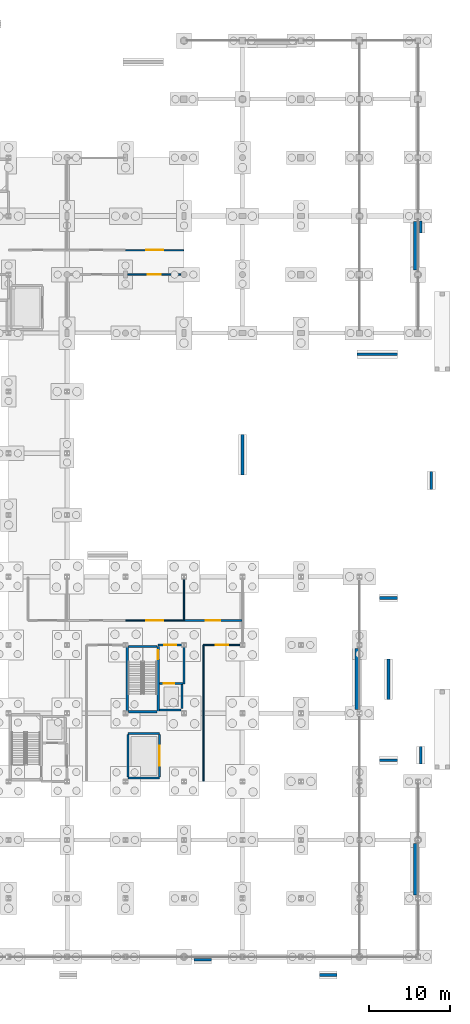
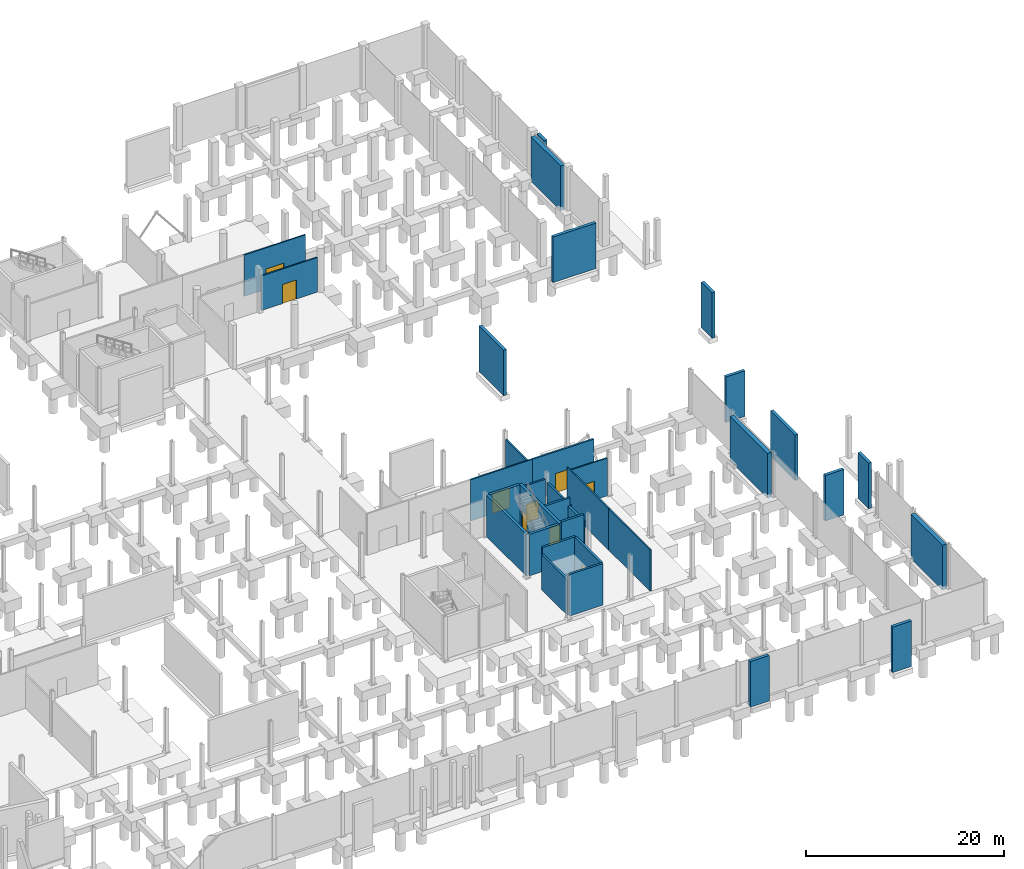
# One storey, part 49 of 61: 34 walls, 9 doors, 9 openings.
"""IFC4 building model written with IfcOpenShell, lengths in metres."""

from ifc_helpers import new_model, si_unit, direction, frame, frame_2d, origin, place, context, subcontext, project, spatial, rectangle, extrude, material, layer, layer_set, type_object, element, fill, save


model = new_model("IFC4")

# Units and contexts
model_context = context("Model", 3, precision=1e-05, world=origin(), true_north=direction((0.0, 1.0)))
body_context = subcontext(model_context, "Body", "Model", "MODEL_VIEW")
ifc_project = project(units=[si_unit("LENGTHUNIT", "METRE"), si_unit("AREAUNIT", "SQUARE_METRE"), si_unit("VOLUMEUNIT", "CUBIC_METRE"), si_unit("PLANEANGLEUNIT", "RADIAN"), si_unit("MASSUNIT", "GRAM", prefix="KILO")], contexts=[model_context])

# Site, building, storey
site_placement = place(None, origin())
site = spatial("IfcSite", under=ifc_project, at=site_placement, CompositionType="ELEMENT")
building_placement = place(site_placement, origin())
building = spatial("IfcBuilding", under=site, at=building_placement, Name="Calvrana Isthmian Art Gallery", CompositionType="ELEMENT")
storey_placement = place(building_placement, frame((0.0, 0.0, -5.39990234375)))
storey = spatial("IfcBuildingStorey", under=building, at=storey_placement, Name="B1", CompositionType="ELEMENT", Elevation=-5.39990234375)

# Wall
ifc_material_1 = material(Name="Concrete C40/50", Category="concrete")
ifc_layer_1 = layer(ifc_material_1, 0.300048828125, Name="Concrete C40/50")
ifc_layer_set_1 = layer_set([ifc_layer_1], Name="Concrete C40/50")
wall_type_1 = type_object("IfcWallType", Name="CW-SHAFT-300", PredefinedType="SHEAR", material=ifc_layer_set_1)
wall_1_placement = place(storey_placement, frame((127.39990234375, 30.18994140625, 0.0), z_axis=(0.0, 0.0, 1.0), x_axis=(0.0, 1.0, 0.0)))
element("IfcWall", 1, at=wall_1_placement, inside=storey, type_object=wall_type_1, Name="Core C4 shear wall W B1", PredefinedType="SHEAR", context=body_context, shape_type="SweptSolid", body=[
    extrude(rectangle(XDim=8.02001953125, YDim=0.300048828125, at=frame_2d((4.010009765625, 0.0))), origin(), (0.0, 0.0, 1.0), 5.119873046875),
])

# Wall, opening, door
wall_2_placement = place(storey_placement, frame((131.219970703125, 30.18994140625, 0.0), z_axis=(0.0, 0.0, 1.0), x_axis=(0.0, 1.0, 0.0)))
wall_2 = element("IfcWall", 2, at=wall_2_placement, inside=storey, type_object=wall_type_1, Name="Core C4 shear wall E B1", PredefinedType="SHEAR", context=body_context, shape_type="SweptSolid", body=[
    extrude(rectangle(XDim=8.02001953125, YDim=0.300048828125, at=frame_2d((4.010009765625, 0.0))), origin(), (0.0, 0.0, 1.0), 5.119873046875),
])
opening_1_placement = place(wall_2_placement, frame((6.469970703125, 0.0, 0.0)))
opening_1 = element("IfcOpeningElement", 3, at=opening_1_placement, cuts=wall_2, Name="Opening D-142", PredefinedType="OPENING", context=body_context, shape_type="SweptSolid", body=[
    extrude(rectangle(XDim=1.10009765625, YDim=2.14990234375, at=frame_2d((0.550048828125, 1.074951171875))), frame((0.0, 0.16015625, 0.0), z_axis=(0.0, -1.0, 0.0), x_axis=(1.0, 0.0, 0.0)), (0.0, 0.0, 1.0), 0.320556640625),
])
ifc_material_2 = material(Name="Steel ASTM A572 Gr 50", Category="steel")
door_type_1 = type_object("IfcDoorType", Name="DR-FIRE-1100", OperationType="NOTDEFINED", PredefinedType="DOOR", material=ifc_material_2)
door_1_placement = place(opening_1_placement, origin())
door_1 = element("IfcDoor", 4, at=door_1_placement, inside=storey, type_object=door_type_1, Name="Stair ST-4 fire door B1", OperationType="SINGLE_SWING_RIGHT", OverallHeight=2.14990234375, OverallWidth=1.10009765625, PredefinedType="DOOR", context=body_context, shape_type="SweptSolid", body=[
    extrude(rectangle(XDim=1.10009765625, YDim=2.14990234375, at=frame_2d((0.550048828125, 1.074951171875))), frame((0.0, 0.02490234375, 0.0), z_axis=(0.0, -1.0, 0.0), x_axis=(1.0, 0.0, 0.0)), (0.0, 0.0, 1.0), 0.050048828125),
])
fill(opening_1, door_1)

# Walls
for number, where, z_axis, x_axis, name in (
    (5, (127.550048828125, 30.18994140625, 0.0), (0.0, 0.0, 1.0), (1.0, 0.0, 0.0), "Core C4 shear wall S B1"),
    (6, (127.550048828125, 38.2099609375, 0.0), (0.0, 0.0, 1.0), (1.0, 0.0, 0.0), "Core C4 shear wall N B1"),
):
    element("IfcWall", number, at=place(storey_placement, frame(where, z_axis=z_axis, x_axis=x_axis)), inside=storey, type_object=wall_type_1, Name=name, PredefinedType="SHEAR", context=body_context, shape_type="SweptSolid", body=[
        extrude(rectangle(XDim=3.52001953125, YDim=0.300048828125, at=frame_2d((1.760009765625, 0.0))), origin(), (0.0, 0.0, 1.0), 5.119873046875),
    ])
ifc_material_3 = material(Name="Acoustic gypsum ceiling", Category="gypsum")
ifc_layer_2 = layer(ifc_material_3, 0.199951171875, Name="Acoustic gypsum ceiling")
ifc_layer_set_2 = layer_set([ifc_layer_2], Name="Acoustic gypsum ceiling")
wall_type_2 = type_object("IfcWallType", Name="PW-FIRE-200", PredefinedType="PARTITIONING", material=ifc_layer_set_2)
wall_3_placement = place(storey_placement, frame((134.39990234375, 33.60009765625, 0.0), z_axis=(0.0, 0.0, 1.0), x_axis=(0.0, 1.0, 0.0)))
element("IfcWall", 7, at=wall_3_placement, inside=storey, type_object=wall_type_2, Name="Core C4 lobby east closure B1", PredefinedType="PARTITIONING", context=body_context, shape_type="SweptSolid", body=[
    extrude(rectangle(XDim=4.579833984375, YDim=0.199951171875, at=frame_2d((2.2900390625, 0.0))), origin(), (0.0, 0.0, 1.0), 4.1728515625),
])

# Wall, opening, door
wall_4_placement = place(storey_placement, frame((131.22998046875, 38.39990234375, 0.0), z_axis=(0.0, 0.0, 1.0), x_axis=(1.0, 0.0, 0.0)))
wall_4 = element("IfcWall", 8, at=wall_4_placement, inside=storey, type_object=wall_type_2, Name="Core C4 lobby enclosure B1", PredefinedType="PARTITIONING", context=body_context, shape_type="SweptSolid", body=[
    extrude(rectangle(XDim=2.949951171875, YDim=0.199951171875, at=frame_2d((1.47509765625, 0.0))), origin(), (0.0, 0.0, 1.0), 4.56689453125),
])
opening_2_placement = place(wall_4_placement, frame((0.75, 0.0, 0.0)))
opening_2 = element("IfcOpeningElement", 9, at=opening_2_placement, cuts=wall_4, Name="Opening D-143", PredefinedType="OPENING", context=body_context, shape_type="SweptSolid", body=[
    extrude(rectangle(XDim=1.449951171875, YDim=2.199951171875, at=frame_2d((0.72509765625, 1.10009765625))), frame((0.0, 0.1103515625, 0.0), z_axis=(0.0, -1.0, 0.0), x_axis=(1.0, 0.0, 0.0)), (0.0, 0.0, 1.0), 0.220458984375),
])
door_type_2 = type_object("IfcDoorType", Name="DR-LOBBY-1450", OperationType="DOUBLE_DOOR_SINGLE_SWING", PredefinedType="DOOR", material=ifc_material_2)
door_2_placement = place(opening_2_placement, origin())
door_2 = element("IfcDoor", 10, at=door_2_placement, inside=storey, type_object=door_type_2, Name="Core C4 lobby fire door B1", OperationType="DOUBLE_DOOR_SINGLE_SWING", OverallHeight=2.199951171875, OverallWidth=1.449951171875, PredefinedType="DOOR", context=body_context, shape_type="SweptSolid", body=[
    extrude(rectangle(XDim=1.449951171875, YDim=2.199951171875, at=frame_2d((0.72509765625, 1.10009765625))), frame((0.0, 0.02490234375, 0.0), z_axis=(0.0, -1.0, 0.0), x_axis=(1.0, 0.0, 0.0)), (0.0, 0.0, 1.0), 0.050048828125),
])
fill(opening_2, door_2)

wall_5_placement = place(storey_placement, frame((134.409912109375, 41.409912109375, 0.0), z_axis=(0.0, 0.0, 1.0), x_axis=(1.0, 0.0, 0.0)))
wall_5 = element("IfcWall", 11, at=wall_5_placement, inside=storey, type_object=wall_type_2, Name="Interior partition PW-056", PredefinedType="PARTITIONING", context=body_context, shape_type="SweptSolid", body=[
    extrude(rectangle(XDim=7.130126953125, YDim=0.199951171875, at=frame_2d((3.56494140625, 0.0))), origin(), (0.0, 0.0, 1.0), 5.099853515625),
])
opening_3_placement = place(wall_5_placement, frame((2.6650390625, 0.0, 0.0)))
opening_3 = element("IfcOpeningElement", 12, at=opening_3_placement, cuts=wall_5, Name="Opening D-219", PredefinedType="OPENING", context=body_context, shape_type="SweptSolid", body=[
    extrude(rectangle(XDim=1.800048828125, YDim=2.39990234375, at=frame_2d((0.89990234375, 1.199951171875))), frame((0.0, 0.1103515625, 0.0), z_axis=(0.0, -1.0, 0.0), x_axis=(1.0, 0.0, 0.0)), (0.0, 0.0, 1.0), 0.220458984375),
])
door_type_3 = type_object("IfcDoorType", Name="DR-VAULT-1800", OperationType="DOUBLE_DOOR_SINGLE_SWING", PredefinedType="DOOR", material=ifc_material_2)
door_3_placement = place(opening_3_placement, origin())
door_3 = element("IfcDoor", 13, at=door_3_placement, inside=storey, type_object=door_type_3, Name="Interior door D-219", OperationType="DOUBLE_DOOR_SINGLE_SWING", OverallHeight=2.39990234375, OverallWidth=1.800048828125, PredefinedType="DOOR", context=body_context, shape_type="SweptSolid", body=[
    extrude(rectangle(XDim=1.800048828125, YDim=2.39990234375, at=frame_2d((0.89990234375, 1.199951171875))), frame((0.0, 0.02490234375, 0.0), z_axis=(0.0, -1.0, 0.0), x_axis=(1.0, 0.0, 0.0)), (0.0, 0.0, 1.0), 0.050048828125),
])
fill(opening_3, door_3)

# Walls
ifc_layer_3 = layer(ifc_material_3, 0.159912109375, Name="Acoustic gypsum ceiling")
ifc_layer_set_3 = layer_set([ifc_layer_3], Name="Acoustic gypsum ceiling")
wall_type_3 = type_object("IfcWallType", Name="PW-GAL-160", PredefinedType="PARTITIONING", material=ifc_layer_set_3)
wall_6_placement = place(storey_placement, frame((136.800048828125, 21.639892578125, 0.0), z_axis=(0.0, 0.0, 1.0), x_axis=(0.0, 1.0, 0.0)))
element("IfcWall", 14, at=wall_6_placement, inside=storey, type_object=wall_type_3, Name="Interior partition PW-047", PredefinedType="PARTITIONING", context=body_context, shape_type="SweptSolid", body=[
    extrude(rectangle(XDim=8.340087890625, YDim=0.159912109375, at=frame_2d((4.169921875, 0.0))), origin(), (0.0, 0.0, 1.0), 5.099853515625),
])
wall_7_placement = place(storey_placement, frame((136.800048828125, 30.02001953125, 0.0), z_axis=(0.0, 0.0, 1.0), x_axis=(0.0, 1.0, 0.0)))
element("IfcWall", 15, at=wall_7_placement, inside=storey, type_object=wall_type_3, Name="Interior partition PW-048", PredefinedType="PARTITIONING", context=body_context, shape_type="SweptSolid", body=[
    extrude(rectangle(XDim=8.35986328125, YDim=0.159912109375, at=frame_2d((4.179931640625, 0.0))), origin(), (0.0, 0.0, 1.0), 5.099853515625),
])

# Wall, opening, door
wall_8_placement = place(storey_placement, frame((136.800048828125, 38.39990234375, 0.0), z_axis=(0.0, 0.0, 1.0), x_axis=(1.0, 0.0, 0.0)))
wall_8 = element("IfcWall", 16, at=wall_8_placement, inside=storey, type_object=wall_type_3, Name="Interior partition PW-049", PredefinedType="PARTITIONING", context=body_context, shape_type="SweptSolid", body=[
    extrude(rectangle(XDim=4.58203125, YDim=0.159912109375, at=frame_2d((2.291015625, 0.0))), origin(), (0.0, 0.0, 1.0), 4.637939453125),
])
opening_4_placement = place(wall_8_placement, frame((1.51611328125, 0.0, 0.0)))
opening_4 = element("IfcOpeningElement", 17, at=opening_4_placement, cuts=wall_8, Name="Opening D-215", PredefinedType="OPENING", context=body_context, shape_type="SweptSolid", body=[
    extrude(rectangle(XDim=1.550048828125, YDim=2.300048828125, at=frame_2d((0.77490234375, 1.14990234375))), frame((0.0, 0.09033203125, 0.0), z_axis=(0.0, -1.0, 0.0), x_axis=(1.0, 0.0, 0.0)), (0.0, 0.0, 1.0), 0.180419921875),
])
ifc_material_4 = material(Name="Timber gallery flooring", Category="wood")
door_type_4 = type_object("IfcDoorType", Name="DR-AUD-1550", OperationType="DOUBLE_DOOR_SINGLE_SWING", PredefinedType="DOOR", material=ifc_material_4)
door_4_placement = place(opening_4_placement, origin())
door_4 = element("IfcDoor", 18, at=door_4_placement, inside=storey, type_object=door_type_4, Name="Interior door D-215", OperationType="DOUBLE_DOOR_SINGLE_SWING", OverallHeight=2.300048828125, OverallWidth=1.550048828125, PredefinedType="DOOR", context=body_context, shape_type="SweptSolid", body=[
    extrude(rectangle(XDim=1.550048828125, YDim=2.300048828125, at=frame_2d((0.77490234375, 1.14990234375))), frame((0.0, 0.02490234375, 0.0), z_axis=(0.0, -1.0, 0.0), x_axis=(1.0, 0.0, 0.0)), (0.0, 0.0, 1.0), 0.050048828125),
])
fill(opening_4, door_4)

wall_9_placement = place(storey_placement, frame((127.2099609375, 41.409912109375, 0.0), z_axis=(0.0, 0.0, 1.0), x_axis=(1.0, 0.0, 0.0)))
wall_9 = element("IfcWall", 19, at=wall_9_placement, inside=storey, type_object=wall_type_3, Name="Interior partition PW-054", PredefinedType="PARTITIONING", context=body_context, shape_type="SweptSolid", body=[
    extrude(rectangle(XDim=7.179931640625, YDim=0.159912109375, at=frame_2d((3.58984375, 0.0))), origin(), (0.0, 0.0, 1.0), 5.099853515625),
])
opening_5_placement = place(wall_9_placement, frame((2.5400390625, 0.0, 0.0)))
opening_5 = element("IfcOpeningElement", 20, at=opening_5_placement, cuts=wall_9, Name="Opening D-218", PredefinedType="OPENING", context=body_context, shape_type="SweptSolid", body=[
    extrude(rectangle(XDim=2.10009765625, YDim=2.5, at=frame_2d((1.050048828125, 1.25))), frame((0.0, 0.09033203125, 0.0), z_axis=(0.0, -1.0, 0.0), x_axis=(1.0, 0.0, 0.0)), (0.0, 0.0, 1.0), 0.180419921875),
])
door_type_5 = type_object("IfcDoorType", Name="DR-GAL-2100", OperationType="DOUBLE_DOOR_SINGLE_SWING", PredefinedType="DOOR", material=ifc_material_4)
door_5_placement = place(opening_5_placement, origin())
door_5 = element("IfcDoor", 21, at=door_5_placement, inside=storey, type_object=door_type_5, Name="Interior door D-218", OperationType="DOUBLE_DOOR_SINGLE_SWING", OverallHeight=2.5, OverallWidth=2.10009765625, PredefinedType="DOOR", context=body_context, shape_type="SweptSolid", body=[
    extrude(rectangle(XDim=2.10009765625, YDim=2.5, at=frame_2d((1.050048828125, 1.25))), frame((0.0, 0.02490234375, 0.0), z_axis=(0.0, -1.0, 0.0), x_axis=(1.0, 0.0, 0.0)), (0.0, 0.0, 1.0), 0.050048828125),
])
fill(opening_5, door_5)

# Wall
wall_10_placement = place(storey_placement, frame((134.39990234375, 41.419921875, 0.0), z_axis=(0.0, 0.0, 1.0), x_axis=(0.0, 1.0, 0.0)))
element("IfcWall", 22, at=wall_10_placement, inside=storey, type_object=wall_type_3, Name="Interior partition PW-055", PredefinedType="PARTITIONING", context=body_context, shape_type="SweptSolid", body=[
    extrude(rectangle(XDim=5.16552734375, YDim=0.159912109375, at=frame_2d((2.582763671875, 0.0))), origin(), (0.0, 0.0, 1.0), 4.406982421875),
])

# Wall, opening, door
wall_11_placement = place(storey_placement, frame((127.43994140625, 84.0, 0.0), z_axis=(0.0, 0.0, 1.0), x_axis=(1.0, 0.0, 0.0)))
wall_11 = element("IfcWall", 23, at=wall_11_placement, inside=storey, type_object=wall_type_3, Name="Interior partition PW-059", PredefinedType="PARTITIONING", context=body_context, shape_type="SweptSolid", body=[
    extrude(rectangle(XDim=6.570068359375, YDim=0.159912109375, at=frame_2d((3.28515625, 0.0))), origin(), (0.0, 0.0, 1.0), 4.2578125),
])
opening_6_placement = place(wall_11_placement, frame((2.485107421875, 0.0, 0.0)))
opening_6 = element("IfcOpeningElement", 24, at=opening_6_placement, cuts=wall_11, Name="Opening D-221", PredefinedType="OPENING", context=body_context, shape_type="SweptSolid", body=[
    extrude(rectangle(XDim=1.60009765625, YDim=2.35009765625, at=frame_2d((0.800048828125, 1.175048828125))), frame((0.0, 0.09033203125, 0.0), z_axis=(0.0, -1.0, 0.0), x_axis=(1.0, 0.0, 0.0)), (0.0, 0.0, 1.0), 0.180419921875),
])
door_type_6 = type_object("IfcDoorType", Name="DR-GAL-1600", OperationType="DOUBLE_DOOR_SINGLE_SWING", PredefinedType="DOOR", material=ifc_material_4)
door_6_placement = place(opening_6_placement, origin())
door_6 = element("IfcDoor", 25, at=door_6_placement, inside=storey, type_object=door_type_6, Name="Interior door D-221", OperationType="DOUBLE_DOOR_SINGLE_SWING", OverallHeight=2.35009765625, OverallWidth=1.60009765625, PredefinedType="DOOR", context=body_context, shape_type="SweptSolid", body=[
    extrude(rectangle(XDim=1.60009765625, YDim=2.35009765625, at=frame_2d((0.800048828125, 1.175048828125))), frame((0.0, 0.02490234375, 0.0), z_axis=(0.0, -1.0, 0.0), x_axis=(1.0, 0.0, 0.0)), (0.0, 0.0, 1.0), 0.050048828125),
])
fill(opening_6, door_6)

wall_12_placement = place(storey_placement, frame((127.2099609375, 87.010009765625, 0.0), z_axis=(0.0, 0.0, 1.0), x_axis=(1.0, 0.0, 0.0)))
wall_12 = element("IfcWall", 26, at=wall_12_placement, inside=storey, type_object=wall_type_3, Name="Interior partition PW-064", PredefinedType="PARTITIONING", context=body_context, shape_type="SweptSolid", body=[
    extrude(rectangle(XDim=7.130126953125, YDim=0.159912109375, at=frame_2d((3.56494140625, 0.0))), origin(), (0.0, 0.0, 1.0), 5.099853515625),
])
opening_7_placement = place(wall_12_placement, frame((2.514892578125, 0.0, 0.0)))
opening_7 = element("IfcOpeningElement", 27, at=opening_7_placement, cuts=wall_12, Name="Opening D-224", PredefinedType="OPENING", context=body_context, shape_type="SweptSolid", body=[
    extrude(rectangle(XDim=2.10009765625, YDim=2.5, at=frame_2d((1.050048828125, 1.25))), frame((0.0, 0.09033203125, 0.0), z_axis=(0.0, -1.0, 0.0), x_axis=(1.0, 0.0, 0.0)), (0.0, 0.0, 1.0), 0.180419921875),
])
door_7_placement = place(opening_7_placement, origin())
door_7 = element("IfcDoor", 28, at=door_7_placement, inside=storey, type_object=door_type_5, Name="Interior door D-224", OperationType="DOUBLE_DOOR_SINGLE_SWING", OverallHeight=2.5, OverallWidth=2.10009765625, PredefinedType="DOOR", context=body_context, shape_type="SweptSolid", body=[
    extrude(rectangle(XDim=2.10009765625, YDim=2.5, at=frame_2d((1.050048828125, 1.25))), frame((0.0, 0.02490234375, 0.0), z_axis=(0.0, -1.0, 0.0), x_axis=(1.0, 0.0, 0.0)), (0.0, 0.0, 1.0), 0.050048828125),
])
fill(opening_7, door_7)

# Walls
ifc_material_5 = material(Name="Concrete C35/45", Category="concrete")
ifc_layer_4 = layer(ifc_material_5, 0.25, Name="Concrete C35/45")
ifc_layer_set_4 = layer_set([ifc_layer_4], Name="Concrete C35/45")
wall_type_4 = type_object("IfcWallType", Name="PW-SHAFT-250", PredefinedType="PARTITIONING", material=ifc_layer_set_4)
wall_13_placement = place(storey_placement, frame((131.3701171875, 30.419921875, 0.0), z_axis=(0.0, 0.0, 1.0), x_axis=(1.0, 0.0, 0.0)))
element("IfcWall", 29, at=wall_13_placement, inside=storey, type_object=wall_type_4, Name="Lift EL-04 shaft wall S B1", PredefinedType="PARTITIONING", context=body_context, shape_type="SweptSolid", body=[
    extrude(rectangle(XDim=2.679931640625, YDim=0.25, at=frame_2d((1.33984375, 0.0))), origin(), (0.0, 0.0, 1.0), 5.119873046875),
])
wall_14_placement = place(storey_placement, frame((134.179931640625, 30.550048828125, 0.0), z_axis=(0.0, 0.0, 1.0), x_axis=(0.0, 1.0, 0.0)))
element("IfcWall", 30, at=wall_14_placement, inside=storey, type_object=wall_type_4, Name="Lift EL-04 shaft wall E B1", PredefinedType="PARTITIONING", context=body_context, shape_type="SweptSolid", body=[
    extrude(rectangle(XDim=3.0, YDim=0.25, at=frame_2d((1.5, 0.0))), origin(), (0.0, 0.0, 1.0), 4.1728515625),
])

# Wall, opening, door
wall_15_placement = place(storey_placement, frame((131.3701171875, 33.679931640625, 0.0), z_axis=(0.0, 0.0, 1.0), x_axis=(1.0, 0.0, 0.0)))
wall_15 = element("IfcWall", 31, at=wall_15_placement, inside=storey, type_object=wall_type_4, Name="Lift EL-04 shaft wall N B1", PredefinedType="PARTITIONING", context=body_context, shape_type="SweptSolid", body=[
    extrude(rectangle(XDim=2.909912109375, YDim=0.25, at=frame_2d((1.455078125, 0.0))), origin(), (0.0, 0.0, 1.0), 5.119873046875),
])
opening_8_placement = place(wall_15_placement, frame((0.550048828125, 0.0, 0.0)))
opening_8 = element("IfcOpeningElement", 32, at=opening_8_placement, cuts=wall_15, Name="Opening LD-04-B1", PredefinedType="OPENING", context=body_context, shape_type="SweptSolid", body=[
    extrude(rectangle(XDim=1.25, YDim=2.14990234375, at=frame_2d((0.625, 1.074951171875))), frame((0.0, 0.13525390625, 0.0), z_axis=(0.0, -1.0, 0.0), x_axis=(1.0, 0.0, 0.0)), (0.0, 0.0, 1.0), 0.2705078125),
])
ifc_material_6 = material(Name="Stainless steel 316", Category="steel")
door_type_7 = type_object("IfcDoorType", Name="DR-LIFT-1250", OperationType="DOUBLE_DOOR_SLIDING", PredefinedType="DOOR", material=ifc_material_6)
door_8_placement = place(opening_8_placement, origin())
door_8 = element("IfcDoor", 33, at=door_8_placement, inside=storey, type_object=door_type_7, Name="Lift EL-04 sliding landing door B1", OperationType="DOUBLE_DOOR_SLIDING", OverallHeight=2.14990234375, OverallWidth=1.25, PredefinedType="DOOR", context=body_context, shape_type="SweptSolid", body=[
    extrude(rectangle(XDim=1.25, YDim=2.14990234375, at=frame_2d((0.625, 1.074951171875))), frame((0.0, 0.02490234375, 0.0), z_axis=(0.0, -1.0, 0.0), x_axis=(1.0, 0.0, 0.0)), (0.0, 0.0, 1.0), 0.050048828125),
])
fill(opening_8, door_8)

# Walls
wall_16_placement = place(storey_placement, frame((127.52001953125, 22.14990234375, 0.0), z_axis=(0.0, 0.0, 1.0), x_axis=(0.0, 1.0, 0.0)))
element("IfcWall", 34, at=wall_16_placement, inside=storey, type_object=wall_type_4, Name="Art goods lift L-G1 shaft W B1", PredefinedType="PARTITIONING", context=body_context, shape_type="SweptSolid", body=[
    extrude(rectangle(XDim=5.2001953125, YDim=0.25, at=frame_2d((2.60009765625, 0.0))), origin(), (0.0, 0.0, 1.0), 4.327880859375),
])
for number, where, z_axis, x_axis, name in (
    (35, (127.52001953125, 27.47998046875, 0.0), (0.0, 0.0, 1.0), (1.0, 0.0, 0.0), "Art goods lift L-G1 shaft N B1"),
    (36, (127.52001953125, 22.02001953125, 0.0), (0.0, 0.0, 1.0), (1.0, 0.0, 0.0), "Art goods lift L-G1 shaft S B1"),
):
    element("IfcWall", number, at=place(storey_placement, frame(where, z_axis=z_axis, x_axis=x_axis)), inside=storey, type_object=wall_type_4, Name=name, PredefinedType="PARTITIONING", context=body_context, shape_type="SweptSolid", body=[
        extrude(rectangle(XDim=3.85986328125, YDim=0.25, at=frame_2d((1.929931640625, 0.0))), origin(), (0.0, 0.0, 1.0), 5.119873046875),
    ])

# Wall, opening, door
wall_17_placement = place(storey_placement, frame((131.3798828125, 22.14990234375, 0.0), z_axis=(0.0, 0.0, 1.0), x_axis=(0.0, 1.0, 0.0)))
wall_17 = element("IfcWall", 37, at=wall_17_placement, inside=storey, type_object=wall_type_4, Name="Art goods lift L-G1 shaft E B1", PredefinedType="PARTITIONING", context=body_context, shape_type="SweptSolid", body=[
    extrude(rectangle(XDim=5.2001953125, YDim=0.25, at=frame_2d((2.60009765625, 0.0))), origin(), (0.0, 0.0, 1.0), 5.119873046875),
])
opening_9_placement = place(wall_17_placement, frame((1.35009765625, 0.0, 0.0)))
opening_9 = element("IfcOpeningElement", 38, at=opening_9_placement, cuts=wall_17, Name="Opening LD-G1-B1", PredefinedType="OPENING", context=body_context, shape_type="SweptSolid", body=[
    extrude(rectangle(XDim=2.5, YDim=2.60009765625, at=frame_2d((1.25, 1.300048828125))), frame((0.0, 0.13525390625, 0.0), z_axis=(0.0, -1.0, 0.0), x_axis=(1.0, 0.0, 0.0)), (0.0, 0.0, 1.0), 0.2705078125),
])
door_type_8 = type_object("IfcDoorType", Name="DR-GLIFT-2500", OperationType="DOUBLE_DOOR_SLIDING", PredefinedType="DOOR", material=ifc_material_6)
door_9_placement = place(opening_9_placement, origin())
door_9 = element("IfcDoor", 39, at=door_9_placement, inside=storey, type_object=door_type_8, Name="Art Goods Lift L-G1 sliding door B1", OperationType="DOUBLE_DOOR_SLIDING", OverallHeight=2.60009765625, OverallWidth=2.5, PredefinedType="DOOR", context=body_context, shape_type="SweptSolid", body=[
    extrude(rectangle(XDim=2.5, YDim=2.60009765625, at=frame_2d((1.25, 1.300048828125))), frame((0.0, 0.02490234375, 0.0), z_axis=(0.0, -1.0, 0.0), x_axis=(1.0, 0.0, 0.0)), (0.0, 0.0, 1.0), 0.050048828125),
])
fill(opening_9, door_9)

# Walls
ifc_layer_5 = layer(ifc_material_1, 0.35009765625, Name="Concrete C40/50")
ifc_layer_set_5 = layer_set([ifc_layer_5], Name="Concrete C40/50")
wall_type_5 = type_object("IfcWallType", Name="WL-RET-350", PredefinedType="USERDEFINED", material=ifc_layer_set_5)
for number, where, z_axis, x_axis, name in (
    (40, (155.699951171875, 74.199951171875, -0.4501953125), (0.0, 0.0, 1.0), (1.0, 0.0, 0.0), "Apron grade wall SLB_APR_ECORT-B"),
    (41, (141.60009765625, 59.300048828125, -0.4501953125), (0.0, 0.0, 1.0), (0.0, 1.0, 0.0), "Apron grade wall SLB_APR_ECORT-C"),
):
    element("IfcWall", number, at=place(storey_placement, frame(where, z_axis=z_axis, x_axis=x_axis)), inside=storey, type_object=wall_type_5, Name=name, ObjectType="RETAINING WALL", PredefinedType="USERDEFINED", context=body_context, shape_type="SweptSolid", body=[
        extrude(rectangle(XDim=5.0, YDim=0.35009765625, at=frame_2d((2.5, 0.0))), origin(), (0.0, 0.0, 1.0), 5.60009765625),
    ])
for number, where, z_axis, x_axis, name in (
    (42, (158.5, 24.199951171875, -0.4501953125), (0.0, 0.0, 1.0), (1.0, 0.0, 0.0), "Apron grade wall SLB_APR_ECORT_S-A"),
    (43, (158.5, 44.199951171875, -0.4501953125), (0.0, 0.0, 1.0), (1.0, 0.0, 0.0), "Apron grade wall SLB_APR_ECORT_S-B"),
):
    element("IfcWall", number, at=place(storey_placement, frame(where, z_axis=z_axis, x_axis=x_axis)), inside=storey, type_object=wall_type_5, Name=name, ObjectType="RETAINING WALL", PredefinedType="USERDEFINED", context=body_context, shape_type="SweptSolid", body=[
        extrude(rectangle(XDim=2.199951171875, YDim=0.35009765625, at=frame_2d((1.10009765625, 0.0))), origin(), (0.0, 0.0, 1.0), 5.60009765625),
    ])
wall_18_placement = place(storey_placement, frame((159.60009765625, 31.699951171875, -0.4501953125), z_axis=(0.0, 0.0, 1.0), x_axis=(0.0, 1.0, 0.0)))
element("IfcWall", 44, at=wall_18_placement, inside=storey, type_object=wall_type_5, Name="Apron grade wall SLB_APR_ECORT_S-C", ObjectType="RETAINING WALL", PredefinedType="USERDEFINED", context=body_context, shape_type="SweptSolid", body=[
    extrude(rectangle(XDim=5.0, YDim=0.35009765625, at=frame_2d((2.5, 0.0))), origin(), (0.0, 0.0, 1.0), 5.60009765625),
])
for number, where, z_axis, x_axis, name in (
    (45, (135.60400390625, -0.35009765625, -0.4501953125), (0.0, 0.0, 1.0), (1.0, 0.0, 0.0), "Apron grade wall SLB_APR_SE_E-B"),
    (46, (151.06005859375, -2.25, -0.4501953125), (0.0, 0.0, 1.0), (1.0, 0.0, 0.0), "Apron grade wall SLB_APR_SE_E-C"),
    (47, (163.550048828125, 23.716064453125, -0.4501953125), (0.0, 0.0, 1.0), (0.0, 1.0, 0.0), "Apron grade wall SLB_APR_EAST-A"),
):
    element("IfcWall", number, at=place(storey_placement, frame(where, z_axis=z_axis, x_axis=x_axis)), inside=storey, type_object=wall_type_5, Name=name, ObjectType="RETAINING WALL", PredefinedType="USERDEFINED", context=body_context, shape_type="SweptSolid", body=[
        extrude(rectangle(XDim=2.199951171875, YDim=0.35009765625, at=frame_2d((1.10009765625, 0.0))), origin(), (0.0, 0.0, 1.0), 5.60009765625),
    ])
wall_19_placement = place(storey_placement, frame((164.85009765625, 57.555908203125, -0.4501953125), z_axis=(0.0, 0.0, 1.0), x_axis=(0.0, 1.0, 0.0)))
element("IfcWall", 48, at=wall_19_placement, inside=storey, type_object=wall_type_5, Name="Apron grade wall SLB_APR_EAST-B", ObjectType="RETAINING WALL", PredefinedType="USERDEFINED", context=body_context, shape_type="SweptSolid", body=[
    extrude(rectangle(XDim=2.2001953125, YDim=0.35009765625, at=frame_2d((1.10009765625, 0.0))), origin(), (0.0, 0.0, 1.0), 5.60009765625),
])
wall_20_placement = place(storey_placement, frame((163.550048828125, 89.139892578125, -0.4501953125), z_axis=(0.0, 0.0, 1.0), x_axis=(0.0, 1.0, 0.0)))
element("IfcWall", 49, at=wall_20_placement, inside=storey, type_object=wall_type_5, Name="Apron grade wall SLB_APR_EAST-C", ObjectType="RETAINING WALL", PredefinedType="USERDEFINED", context=body_context, shape_type="SweptSolid", body=[
    extrude(rectangle(XDim=1.465087890625, YDim=0.35009765625, at=frame_2d((0.732421875, 0.0))), origin(), (0.0, 0.0, 1.0), 5.60009765625),
])
ifc_layer_6 = layer(ifc_material_1, 0.449951171875, Name="Concrete C40/50")
ifc_layer_set_6 = layer_set([ifc_layer_6], Name="Concrete C40/50")
wall_type_6 = type_object("IfcWallType", Name="WL-RET-450", PredefinedType="USERDEFINED", material=ifc_layer_set_6)
wall_21_placement = place(storey_placement, frame((162.89990234375, 7.623046875, -0.4501953125), z_axis=(0.0, 0.0, 1.0), x_axis=(0.0, 1.0, 0.0)))
element("IfcWall", 50, at=wall_21_placement, inside=storey, type_object=wall_type_6, Name="Hillside plinth retaining wall RW_B1_EAST_S", ObjectType="RETAINING WALL", PredefinedType="USERDEFINED", context=body_context, shape_type="SweptSolid", body=[
    extrude(rectangle(XDim=6.350341796875, YDim=0.449951171875, at=frame_2d((3.17529296875, 0.0))), origin(), (0.0, 0.0, 1.0), 5.5),
])
wall_22_placement = place(storey_placement, frame((155.699951171875, 30.431396484375, -0.4501953125), z_axis=(0.0, 0.0, 1.0), x_axis=(0.0, 1.0, 0.0)))
element("IfcWall", 51, at=wall_22_placement, inside=storey, type_object=wall_type_6, Name="Hillside plinth retaining wall RW_B1_EAST_M", ObjectType="RETAINING WALL", PredefinedType="USERDEFINED", context=body_context, shape_type="SweptSolid", body=[
    extrude(rectangle(XDim=7.53564453125, YDim=0.449951171875, at=frame_2d((3.767822265625, 0.0))), origin(), (0.0, 0.0, 1.0), 5.5),
])
wall_23_placement = place(storey_placement, frame((162.89990234375, 84.594970703125, -0.4501953125), z_axis=(0.0, 0.0, 1.0), x_axis=(0.0, 1.0, 0.0)))
element("IfcWall", 52, at=wall_23_placement, inside=storey, type_object=wall_type_6, Name="Hillside plinth retaining wall RW_B1_EAST_N", ObjectType="RETAINING WALL", PredefinedType="USERDEFINED", context=body_context, shape_type="SweptSolid", body=[
    extrude(rectangle(XDim=5.9599609375, YDim=0.449951171875, at=frame_2d((2.97998046875, 0.0))), origin(), (0.0, 0.0, 1.0), 5.5),
])

save(model, "model.ifc")
